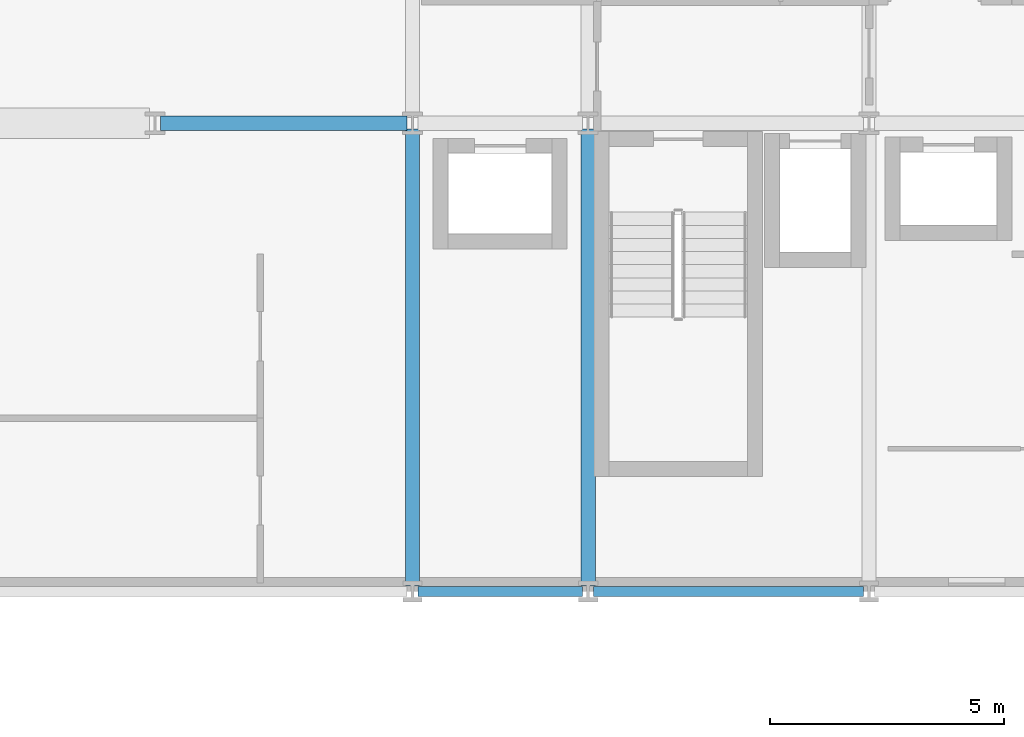
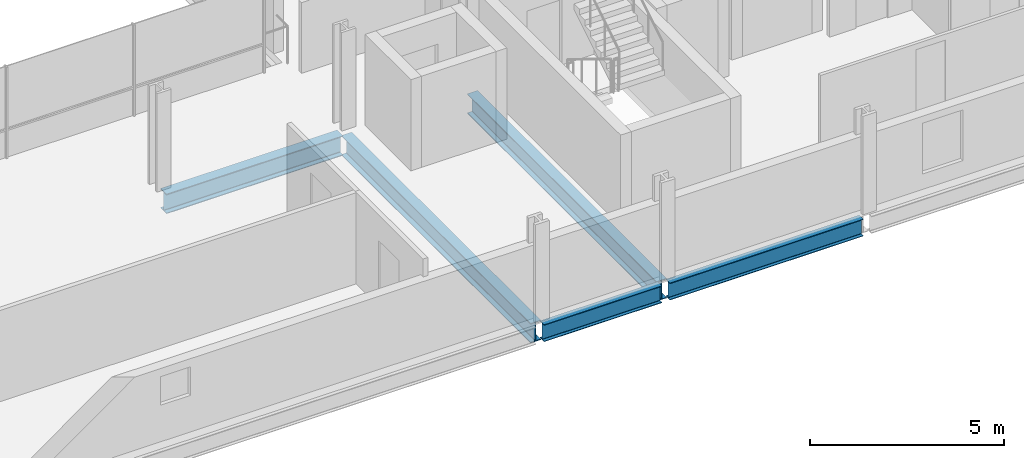
# One storey, part 12 of 41: 5 beams.
"""IFC4 building model written with IfcOpenShell, lengths in metres."""

from ifc_helpers import new_model, si_unit, direction, frame, origin, origin_2d, place, context, subcontext, project, spatial, i_section, extrude, material, material_profile, profile_set, type_object, element, save


model = new_model("IFC4")

# Units and contexts
model_context = context("Model", 3, precision=1e-05, world=origin(), true_north=direction((0.0, 1.0)))
body_context = subcontext(model_context, "Body", "Model", "MODEL_VIEW")
ifc_project = project(units=[si_unit("LENGTHUNIT", "METRE"), si_unit("AREAUNIT", "SQUARE_METRE"), si_unit("VOLUMEUNIT", "CUBIC_METRE"), si_unit("PLANEANGLEUNIT", "RADIAN"), si_unit("MASSUNIT", "GRAM", prefix="KILO")], contexts=[model_context])

# Site, building, storey
site_placement = place(None, origin())
site = spatial("IfcSite", under=ifc_project, at=site_placement, CompositionType="ELEMENT")
building_placement = place(site_placement, origin())
building = spatial("IfcBuilding", under=site, at=building_placement, Name="Brevholm Reach", CompositionType="ELEMENT")
storey_placement = place(building_placement, frame((0.0, 0.0, 49.699951171875)))
storey = spatial("IfcBuildingStorey", under=building, at=storey_placement, Name="L13", CompositionType="ELEMENT", Elevation=49.699951171875)

# Beams
ifc_material_1 = material(Name="Structural Steel S355J2", Category="steel")
ifc_material_profile_1 = material_profile(ifc_material_1, i_section(OverallWidth=0.210693359375, OverallDepth=0.53955078125, WebThickness=0.01171875, FlangeThickness=0.018798828125, FilletRadius=0.0126953125, at=origin_2d()), Name="UKB 533x210x109")
ifc_profile_set_1 = profile_set([ifc_material_profile_1], Name="Structural Steel S355J2")
beam_type_1 = type_object("IfcBeamType", Name="BM-SP539", PredefinedType="SPANDREL", material=ifc_profile_set_1)
beam_1_placement = place(storey_placement, frame((38.3701171875, 0.0, -0.499755859375), z_axis=(1.0, 0.0, 0.0), x_axis=(0.0, 1.0, 0.0)))
element("IfcBeam", 1, at=beam_1_placement, inside=storey, type_object=beam_type_1, Name="L13 SP-01B Framing Beam", PredefinedType="SPANDREL", context=body_context, shape_type="SweptSolid", body=[
    extrude(i_section(OverallWidth=0.210693359375, OverallDepth=0.53955078125, WebThickness=0.01171875, FlangeThickness=0.018798828125, FilletRadius=0.0126953125, at=origin_2d()), origin(), (0.0, 0.0, 1.0), 3.509765625),
])
beam_2_placement = place(storey_placement, frame((42.1201171875, 0.0, -0.499755859375), z_axis=(1.0, 0.0, 0.0), x_axis=(0.0, 1.0, 0.0)))
element("IfcBeam", 2, at=beam_2_placement, inside=storey, type_object=beam_type_1, Name="L13 SP-01B Framing Beam", PredefinedType="SPANDREL", context=body_context, shape_type="SweptSolid", body=[
    extrude(i_section(OverallWidth=0.210693359375, OverallDepth=0.53955078125, WebThickness=0.01171875, FlangeThickness=0.018798828125, FilletRadius=0.0126953125, at=origin_2d()), origin(), (0.0, 0.0, 1.0), 5.759765625),
])
ifc_material_2 = material(Name="Structural Steel S355J2", Category="steel")
ifc_material_profile_2 = material_profile(ifc_material_2, i_section(OverallWidth=0.30712890625, OverallDepth=0.6201171875, WebThickness=0.01416015625, FlangeThickness=0.023681640625, FilletRadius=0.0166015625, at=origin_2d()), Name="UKB 610x305x179")
ifc_profile_set_2 = profile_set([ifc_material_profile_2], Name="Structural Steel S355J2")
beam_type_2 = type_object("IfcBeamType", Name="BM-UKB610H", PredefinedType="USERDEFINED", material=ifc_profile_set_2)
beam_3_placement = place(storey_placement, frame((32.8701171875, 10.0, -0.5400390625), z_axis=(1.0, 0.0, 0.0), x_axis=(0.0, 1.0, 0.0)))
element("IfcBeam", 3, at=beam_3_placement, inside=storey, type_object=beam_type_2, Name="L13 G-06 Framing Beam", ObjectType="GIRDER", PredefinedType="USERDEFINED", context=body_context, shape_type="SweptSolid", body=[
    extrude(i_section(OverallWidth=0.30712890625, OverallDepth=0.6201171875, WebThickness=0.01416015625, FlangeThickness=0.023681640625, FilletRadius=0.0166015625, at=origin_2d()), origin(), (0.0, 0.0, 1.0), 5.259765625),
])
for number, where, z_axis, x_axis, name in (
    (4, (38.25, 0.1201171875, -0.5400390625), (0.0, 1.0, 0.0), (-1.0, 0.0, 0.0), "L13 G-06 Framing Beam"),
    (5, (42.0, 0.1201171875, -0.5400390625), (0.0, 1.0, 0.0), (-1.0, 0.0, 0.0), "L13 G-06 Framing Beam"),
):
    element("IfcBeam", number, at=place(storey_placement, frame(where, z_axis=z_axis, x_axis=x_axis)), inside=storey, type_object=beam_type_2, Name=name, ObjectType="GIRDER", PredefinedType="USERDEFINED", context=body_context, shape_type="SweptSolid", body=[
        extrude(i_section(OverallWidth=0.30712890625, OverallDepth=0.6201171875, WebThickness=0.01416015625, FlangeThickness=0.023681640625, FilletRadius=0.0166015625, at=origin_2d()), origin(), (0.0, 0.0, 1.0), 9.759765625),
    ])

save(model, "model.ifc")
